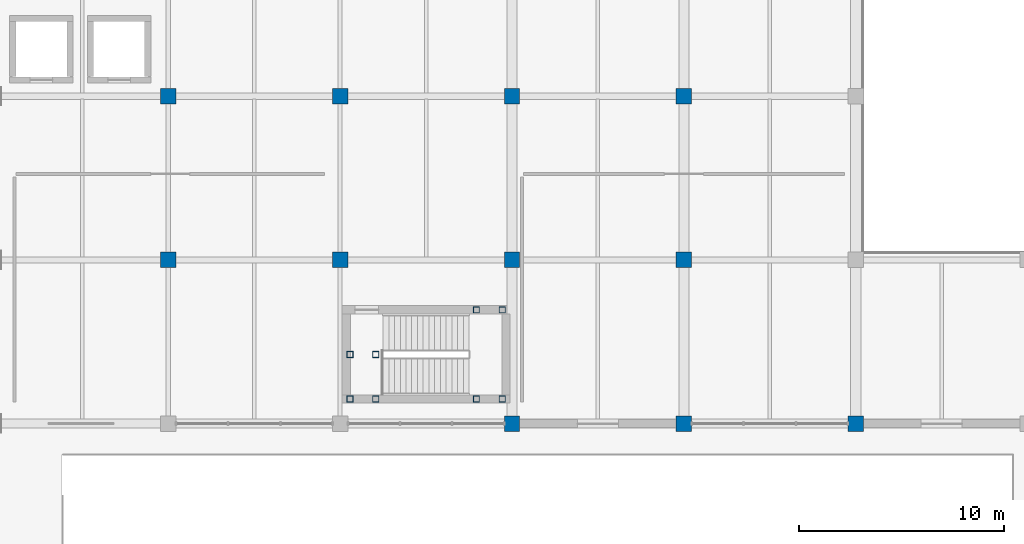
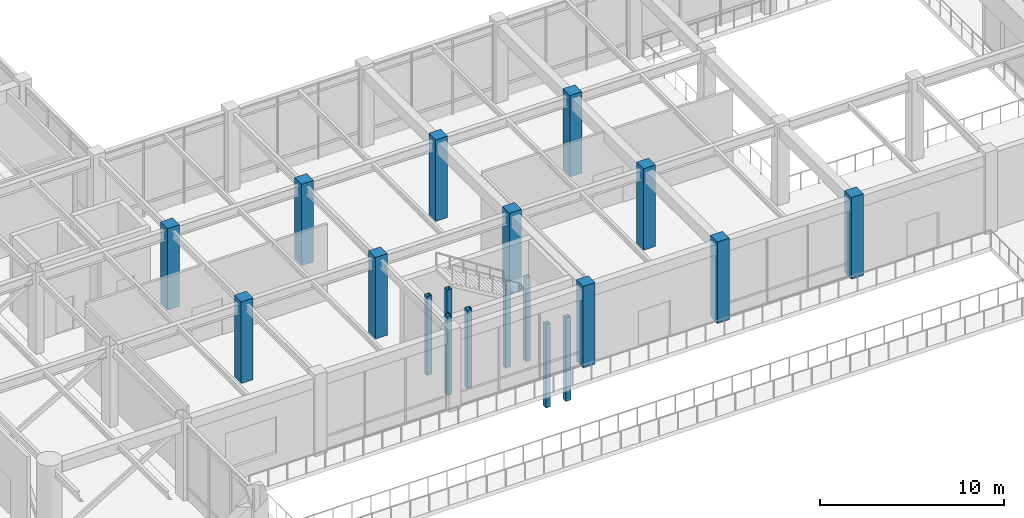
# One storey, part 5 of 79: 19 columns.
"""IFC4 building model written with IfcOpenShell, lengths in metres."""

from ifc_helpers import new_model, si_unit, direction, frame, origin, origin_2d, place, context, subcontext, project, spatial, rectangle, hollow_rectangle, extrude, material, material_profile, profile_set, type_object, element, save


model = new_model("IFC4")

# Units and contexts
model_context = context("Model", 3, precision=1e-05, world=origin(), true_north=direction((0.0, 1.0)))
body_context = subcontext(model_context, "Body", "Model", "MODEL_VIEW")
ifc_project = project(units=[si_unit("LENGTHUNIT", "METRE"), si_unit("AREAUNIT", "SQUARE_METRE"), si_unit("VOLUMEUNIT", "CUBIC_METRE"), si_unit("PLANEANGLEUNIT", "RADIAN"), si_unit("MASSUNIT", "GRAM", prefix="KILO")], contexts=[model_context])

# Site, building, storey
site_placement = place(None, origin())
site = spatial("IfcSite", under=ifc_project, at=site_placement, CompositionType="ELEMENT")
building_placement = place(site_placement, origin())
building = spatial("IfcBuilding", under=site, at=building_placement, Name="Naruveol Harbour Congress Hotel", CompositionType="ELEMENT")
storey_placement = place(building_placement, frame((0.0, 0.0, 6.0)))
storey = spatial("IfcBuildingStorey", under=building, at=storey_placement, Name="L01", CompositionType="ELEMENT", Elevation=6.0)

# Columns
ifc_material_1 = material(Name="Concrete C50/60", Category="concrete")
ifc_material_profile_1 = material_profile(ifc_material_1, rectangle(XDim=0.75, YDim=0.75, at=origin_2d()), Name="RC-750x750")
ifc_profile_set_1 = profile_set([ifc_material_profile_1], Name="Concrete C50/60")
column_type_1 = type_object("IfcColumnType", Name="RC WING COLUMN 750X750", PredefinedType="COLUMN", material=ifc_profile_set_1)
for number, where, z_axis, x_axis, name in (
    (1, (67.199951171875, 16.0, 0.0), (0.0, 0.0, 1.0), (1.0, 0.0, 0.0), "Column C-750 L01 (67.2,16.0)"),
    (2, (67.199951171875, 24.0, 0.0), (0.0, 0.0, 1.0), (1.0, 0.0, 0.0), "Column C-750 L01 (67.2,24.0)"),
    (3, (75.60009765625, 16.0, 0.0), (0.0, 0.0, 1.0), (1.0, 0.0, 0.0), "Column C-750 L01 (75.6,16.0)"),
    (4, (75.60009765625, 24.0, 0.0), (0.0, 0.0, 1.0), (1.0, 0.0, 0.0), "Column C-750 L01 (75.6,24.0)"),
    (5, (84.0, 8.0, 0.0), (0.0, 0.0, 1.0), (1.0, 0.0, 0.0), "Column C-750 L01 (84.0,8.0)"),
    (6, (84.0, 16.0, 0.0), (0.0, 0.0, 1.0), (1.0, 0.0, 0.0), "Column C-750 L01 (84.0,16.0)"),
    (7, (84.0, 24.0, 0.0), (0.0, 0.0, 1.0), (1.0, 0.0, 0.0), "Column C-750 L01 (84.0,24.0)"),
    (8, (92.39990234375, 8.0, 0.0), (0.0, 0.0, 1.0), (1.0, 0.0, 0.0), "Column C-750 L01 (92.4,8.0)"),
    (9, (92.39990234375, 16.0, 0.0), (0.0, 0.0, 1.0), (1.0, 0.0, 0.0), "Column C-750 L01 (92.4,16.0)"),
    (10, (92.39990234375, 24.0, 0.0), (0.0, 0.0, 1.0), (1.0, 0.0, 0.0), "Column C-750 L01 (92.4,24.0)"),
    (11, (100.800048828125, 8.0, 0.0), (0.0, 0.0, 1.0), (1.0, 0.0, 0.0), "Column C-750 L01 (100.8,8.0)"),
):
    element("IfcColumn", number, at=place(storey_placement, frame(where, z_axis=z_axis, x_axis=x_axis)), inside=storey, type_object=column_type_1, Name=name, PredefinedType="COLUMN", context=body_context, shape_type="SweptSolid", body=[
        extrude(rectangle(XDim=0.75, YDim=0.75, at=origin_2d()), origin(), (0.0, 0.0, 1.0), 5.39990234375),
    ])
ifc_material_2 = material(Name="Steel SN490", Category="steel")
ifc_material_profile_2 = material_profile(ifc_material_2, hollow_rectangle(XDim=0.300048828125, YDim=0.300048828125, WallThickness=0.011962890625, at=origin_2d()), Name="SHS-300x300x12")
ifc_profile_set_2 = profile_set([ifc_material_profile_2], Name="Steel SN490")
column_type_2 = type_object("IfcColumnType", Name="STEEL COLONNADE POST SHS300", PredefinedType="COLUMN", material=ifc_profile_set_2)
for number, where, z_axis, x_axis, name in (
    (12, (76.080078125, 9.199951171875, 0.0), (0.0, 0.0, 1.0), (1.0, 0.0, 0.0), "Stair landing support post ST10W #459"),
    (13, (76.080078125, 11.3798828125, 0.0), (0.0, 0.0, 1.0), (1.0, 0.0, 0.0), "Stair landing support post ST10W #463"),
    (14, (77.340087890625, 9.199951171875, 0.0), (0.0, 0.0, 1.0), (1.0, 0.0, 0.0), "Stair landing support post ST10W #467"),
    (15, (77.340087890625, 11.3798828125, 0.0), (0.0, 0.0, 1.0), (1.0, 0.0, 0.0), "Stair landing support post ST10W #471"),
):
    element("IfcColumn", number, at=place(storey_placement, frame(where, z_axis=z_axis, x_axis=x_axis)), inside=storey, type_object=column_type_2, Name=name, PredefinedType="COLUMN", context=body_context, shape_type="SweptSolid", body=[
        extrude(hollow_rectangle(XDim=0.300048828125, YDim=0.300048828125, WallThickness=0.011962890625, at=origin_2d()), origin(), (0.0, 0.0, 1.0), 5.219970703125),
    ])
for number, where, z_axis, x_axis, name in (
    (16, (82.260009765625, 9.199951171875, -3.0), (0.0, 0.0, 1.0), (1.0, 0.0, 0.0), "Stair landing support post ST10E #475"),
    (17, (82.260009765625, 13.56005859375, -3.0), (0.0, 0.0, 1.0), (1.0, 0.0, 0.0), "Stair landing support post ST10E #479"),
    (18, (83.52001953125, 9.199951171875, -3.0), (0.0, 0.0, 1.0), (1.0, 0.0, 0.0), "Stair landing support post ST10E #483"),
    (19, (83.52001953125, 13.56005859375, -3.0), (0.0, 0.0, 1.0), (1.0, 0.0, 0.0), "Stair landing support post ST10E #487"),
):
    element("IfcColumn", number, at=place(storey_placement, frame(where, z_axis=z_axis, x_axis=x_axis)), inside=storey, type_object=column_type_2, Name=name, PredefinedType="COLUMN", context=body_context, shape_type="SweptSolid", body=[
        extrude(hollow_rectangle(XDim=0.300048828125, YDim=0.300048828125, WallThickness=0.011962890625, at=origin_2d()), origin(), (0.0, 0.0, 1.0), 5.52001953125),
    ])

save(model, "model.ifc")
